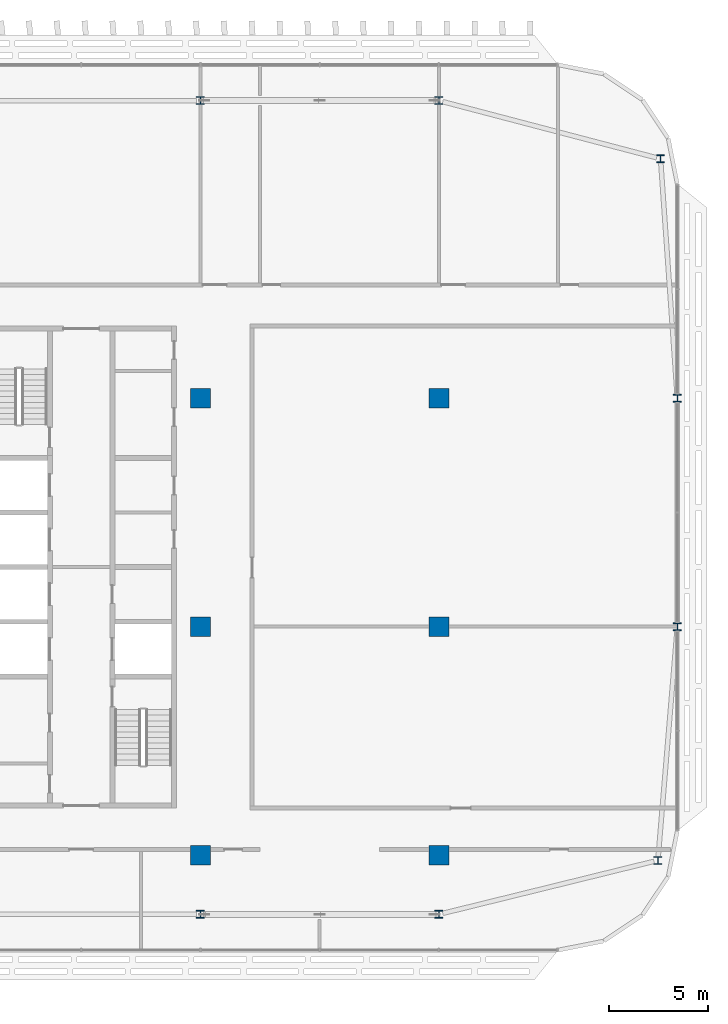
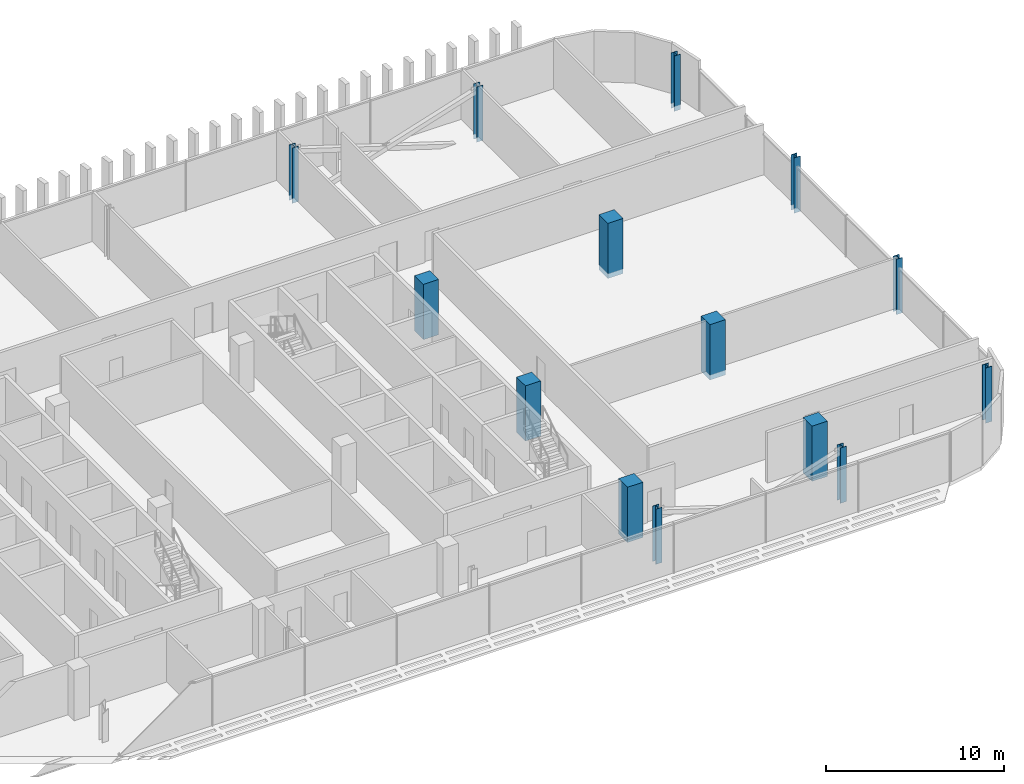
# One storey, part 4 of 32: 14 columns.
"""IFC4 building model written with IfcOpenShell, lengths in metres."""

from ifc_helpers import new_model, si_unit, direction, frame, origin, origin_2d, place, context, subcontext, project, spatial, rectangle, i_section, extrude, material, material_profile, profile_set, type_object, element, save


model = new_model("IFC4")

# Units and contexts
model_context = context("Model", 3, precision=1e-05, world=origin(), true_north=direction((0.0, 1.0)))
body_context = subcontext(model_context, "Body", "Model", "MODEL_VIEW")
ifc_project = project(units=[si_unit("LENGTHUNIT", "METRE"), si_unit("AREAUNIT", "SQUARE_METRE"), si_unit("VOLUMEUNIT", "CUBIC_METRE"), si_unit("PLANEANGLEUNIT", "RADIAN"), si_unit("MASSUNIT", "GRAM", prefix="KILO")], contexts=[model_context])

# Site, building, storey
site_placement = place(None, origin())
site = spatial("IfcSite", under=ifc_project, at=site_placement, CompositionType="ELEMENT")
building_placement = place(site_placement, origin())
building = spatial("IfcBuilding", under=site, at=building_placement, Name="Mahtab Terrace Research Tower", CompositionType="ELEMENT")
storey_placement = place(building_placement, frame((0.0, 0.0, 236.199951171875)))
storey = spatial("IfcBuildingStorey", under=building, at=storey_placement, Name="L57", CompositionType="ELEMENT", Elevation=236.199951171875)

# Columns
ifc_material_1 = material(Name="Concrete C70/85", Category="concrete")
ifc_material_profile_1 = material_profile(ifc_material_1, rectangle(XDim=1.0, YDim=1.0, at=origin_2d()), Name="RC column 1000x1000")
ifc_profile_set_1 = profile_set([ifc_material_profile_1], Name="Concrete C70/85")
column_type_1 = type_object("IfcColumnType", Name="RC column 1000x1000", PredefinedType="COLUMN", material=ifc_profile_set_1)
for number, where, z_axis, x_axis, name in (
    (1, (30.0, -11.5, -0.33984375), (0.0, 0.0, 1.0), (1.0, 0.0, 0.0), "Column RC-7A L57"),
    (2, (30.0, 0.0, -0.33984375), (0.0, 0.0, 1.0), (1.0, 0.0, 0.0), "Column RC-7B L57"),
    (3, (30.0, 11.5, -0.33984375), (0.0, 0.0, 1.0), (1.0, 0.0, 0.0), "Column RC-7C L57"),
    (4, (42.0, -11.5, -0.33984375), (0.0, 0.0, 1.0), (1.0, 0.0, 0.0), "Column RC-8A L57"),
    (5, (42.0, 0.0, -0.33984375), (0.0, 0.0, 1.0), (1.0, 0.0, 0.0), "Column RC-8B L57"),
    (6, (42.0, 11.5, -0.33984375), (0.0, 0.0, 1.0), (1.0, 0.0, 0.0), "Column RC-8C L57"),
):
    element("IfcColumn", number, at=place(storey_placement, frame(where, z_axis=z_axis, x_axis=x_axis)), inside=storey, type_object=column_type_1, Name=name, PredefinedType="COLUMN", context=body_context, shape_type="SweptSolid", body=[
        extrude(rectangle(XDim=1.0, YDim=1.0, at=origin_2d()), origin(), (0.0, 0.0, 1.0), 3.7998046875),
    ])
ifc_material_2 = material(Name="Steel ASTM A992 Gr 50", Category="steel")
ifc_material_profile_2 = material_profile(ifc_material_2, i_section(OverallWidth=0.398681640625, OverallDepth=0.385986328125, WebThickness=0.02099609375, FlangeThickness=0.033203125, at=origin_2d()), Name="W14X176")
ifc_profile_set_2 = profile_set([ifc_material_profile_2], Name="Steel ASTM A992 Gr 50")
column_type_2 = type_object("IfcColumnType", Name="W14x176 column CS14176", PredefinedType="COLUMN", material=ifc_profile_set_2)
for number, where, z_axis, x_axis, name in (
    (7, (53.154052734375, 23.5458984375, -0.33984375), (0.0, 0.0, 1.0), (1.0, 0.0, 0.0), "Column SC-052 L57"),
    (8, (42.0, 26.472900390625, -0.33984375), (0.0, 0.0, 1.0), (1.0, 0.0, 0.0), "Column SC-053 L57"),
    (9, (30.0, 26.472900390625, -0.33984375), (0.0, 0.0, 1.0), (1.0, 0.0, 0.0), "Column SC-054 L57"),
    (10, (30.0, -14.472900390625, -0.33984375), (0.0, 0.0, 1.0), (1.0, 0.0, 0.0), "Column SC-067 L57"),
    (11, (42.0, -14.472900390625, -0.33984375), (0.0, 0.0, 1.0), (1.0, 0.0, 0.0), "Column SC-068 L57"),
    (12, (53.02099609375, -11.758056640625, -0.33984375), (0.0, 0.0, 1.0), (1.0, 0.0, 0.0), "Column SC-069 L57"),
    (13, (54.0, 0.0, -0.33984375), (0.0, 0.0, 1.0), (1.0, 0.0, 0.0), "Column SC-028 L57"),
    (14, (54.0, 11.5, -0.33984375), (0.0, 0.0, 1.0), (1.0, 0.0, 0.0), "Column SC-029 L57"),
):
    element("IfcColumn", number, at=place(storey_placement, frame(where, z_axis=z_axis, x_axis=x_axis)), inside=storey, type_object=column_type_2, Name=name, PredefinedType="COLUMN", context=body_context, shape_type="SweptSolid", body=[
        extrude(i_section(OverallWidth=0.398681640625, OverallDepth=0.385986328125, WebThickness=0.02099609375, FlangeThickness=0.033203125, at=origin_2d()), origin(), (0.0, 0.0, 1.0), 3.7998046875),
    ])

save(model, "model.ifc")
